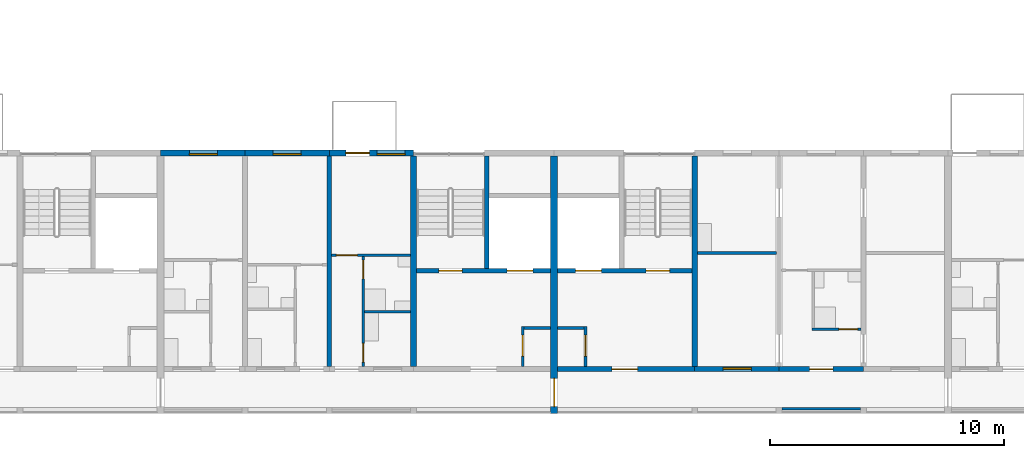
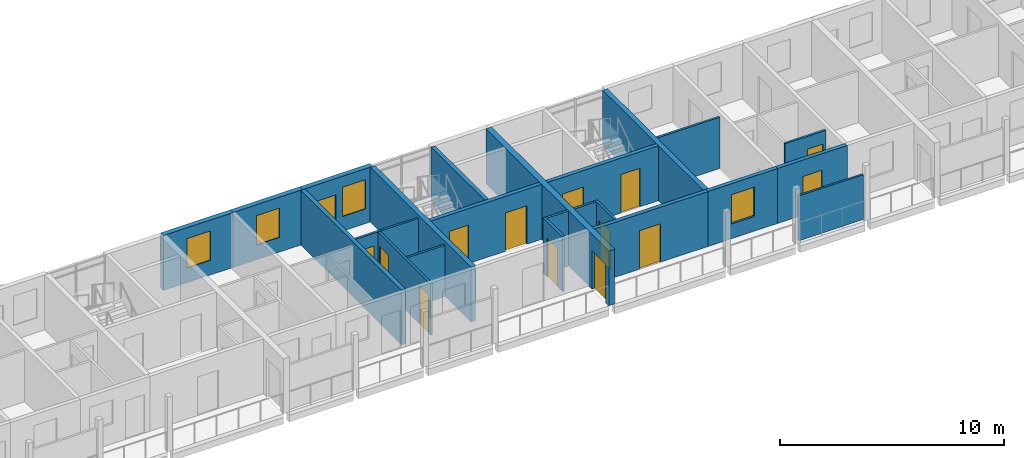
# One storey, part 31 of 94: 23 walls, 14 doors, 4 windows, 18 openings.
"""IFC4 building model written with IfcOpenShell, lengths in metres."""

from ifc_helpers import new_model, si_unit, direction, frame, frame_2d, origin, place, context, subcontext, project, spatial, rectangle, extrude, material, layer, layer_set, type_object, element, fill, save


model = new_model("IFC4")

# Units and contexts
model_context = context("Model", 3, precision=1e-05, world=origin(), true_north=direction((0.0, 1.0)))
body_context = subcontext(model_context, "Body", "Model", "MODEL_VIEW")
ifc_project = project(units=[si_unit("LENGTHUNIT", "METRE"), si_unit("AREAUNIT", "SQUARE_METRE"), si_unit("VOLUMEUNIT", "CUBIC_METRE"), si_unit("PLANEANGLEUNIT", "RADIAN"), si_unit("MASSUNIT", "GRAM", prefix="KILO")], contexts=[model_context])

# Site, building, storey
site_placement = place(None, origin())
site = spatial("IfcSite", under=ifc_project, at=site_placement, CompositionType="ELEMENT")
building_placement = place(site_placement, origin())
building = spatial("IfcBuilding", under=site, at=building_placement, Name="Ridgestep Commons", CompositionType="ELEMENT")
storey_placement = place(building_placement, frame((0.0, 0.0, 21.0)))
storey = spatial("IfcBuildingStorey", under=building, at=storey_placement, Name="L07", CompositionType="ELEMENT", Elevation=21.0)

# Walls
ifc_material_1 = material(Name="Concrete C30/37", Category="concrete")
ifc_layer_1 = layer(ifc_material_1, 0.25)
ifc_layer_set_1 = layer_set([ifc_layer_1], Name="Core cross wall 250")
wall_type_1 = type_object("IfcWallType", Name="Core cross wall 250", PredefinedType="SHEAR", material=ifc_layer_set_1)
for number, where, z_axis, x_axis, name in (
    (1, (39.60009765625, 13.75, 0.0), (0.0, 0.0, 1.0), (0.0, 1.0, 0.0), "Cross wall A-07-0396"),
    (2, (51.60009765625, 13.75, 0.0), (0.0, 0.0, 1.0), (0.0, 1.0, 0.0), "Cross wall A-07-0516"),
):
    element("IfcWall", number, at=place(storey_placement, frame(where, z_axis=z_axis, x_axis=x_axis)), inside=storey, type_object=wall_type_1, Name=name, PredefinedType="SHEAR", context=body_context, shape_type="SweptSolid", body=[
        extrude(rectangle(XDim=9.0, YDim=0.25, at=frame_2d((4.5, 0.0))), origin(), (0.0, 0.0, 1.0), 3.0),
    ])

# Wall, opening, door
ifc_material_2 = material(Name="Concrete C30/37", Category="concrete")
ifc_layer_2 = layer(ifc_material_2, 0.199951171875)
ifc_layer_set_2 = layer_set([ifc_layer_2], Name="Core south wall 200")
wall_type_2 = type_object("IfcWallType", Name="Core south wall 200", PredefinedType="SHEAR", material=ifc_layer_set_2)
wall_1_placement = place(storey_placement, frame((45.75, 13.64990234375, 0.0), z_axis=(0.0, 0.0, 1.0), x_axis=(1.0, 0.0, 0.0)))
wall_1 = element("IfcWall", 3, at=wall_1_placement, inside=storey, type_object=wall_type_2, Name="Core south wall A3C L07", PredefinedType="SHEAR", context=body_context, shape_type="SweptSolid", body=[
    extrude(rectangle(XDim=5.85009765625, YDim=0.199951171875, at=frame_2d((2.925048828125, 0.0))), origin(), (0.0, 0.0, 1.0), 3.0),
])
opening_1_placement = place(wall_1_placement, frame((2.3125, 0.0, 0.0)))
opening_1 = element("IfcOpeningElement", 4, at=opening_1_placement, cuts=wall_1, Name="Opening A3C/07/1", PredefinedType="OPENING", context=body_context, shape_type="SweptSolid", body=[
    extrude(rectangle(XDim=1.10009765625, YDim=2.10009765625, at=frame_2d((0.550048828125, 1.050048828125))), frame((0.0, 0.10986328125, 0.0), z_axis=(0.0, -1.0, 0.0), x_axis=(1.0, 0.0, 0.0)), (0.0, 0.0, 1.0), 0.219970703125),
])
ifc_material_3 = material(Name="Steel fire door", Category="steel")
door_type_1 = type_object("IfcDoorType", Name="Lobby door 1100 x 2100 FD60", OperationType="NOTDEFINED", PredefinedType="DOOR", material=ifc_material_3)
door_1_placement = place(opening_1_placement, origin())
door_1 = element("IfcDoor", 5, at=door_1_placement, inside=storey, type_object=door_type_1, Name="Lobby door A3C/07/1", OperationType="SINGLE_SWING_LEFT", OverallHeight=2.10009765625, OverallWidth=1.10009765625, PredefinedType="DOOR", context=body_context, shape_type="SweptSolid", body=[
    extrude(rectangle(XDim=1.10009765625, YDim=2.10009765625, at=frame_2d((0.550048828125, 1.050048828125))), frame((0.0, 0.02490234375, 0.0), z_axis=(0.0, -1.0, 0.0), x_axis=(1.0, 0.0, 0.0)), (0.0, 0.0, 1.0), 0.050048828125),
])
fill(opening_1, door_1)

ifc_material_4 = material(Name="Concrete C30/37", Category="concrete")
ifc_layer_3 = layer(ifc_material_4, 0.1201171875)
ifc_layer_set_3 = layer_set([ifc_layer_3], Name="Core wall 120")
wall_type_3 = type_object("IfcWallType", Name="Core wall 120", PredefinedType="SHEAR", material=ifc_layer_set_3)
wall_2_placement = place(storey_placement, frame((44.260009765625, 13.75, 0.0), z_axis=(0.0, 0.0, 1.0), x_axis=(0.0, 1.0, 0.0)))
wall_2 = element("IfcWall", 6, at=wall_2_placement, inside=storey, type_object=wall_type_3, Name="Core riser w wall A2C L07", PredefinedType="SHEAR", context=body_context, shape_type="SweptSolid", body=[
    extrude(rectangle(XDim=1.719970703125, YDim=0.1201171875, at=frame_2d((0.85986328125, 0.0))), origin(), (0.0, 0.0, 1.0), 3.0),
])
opening_2_placement = place(wall_2_placement, frame((0.449951171875, 0.0, 0.0)))
opening_2 = element("IfcOpeningElement", 7, at=opening_2_placement, cuts=wall_2, Name="Opening A2C/07/4", PredefinedType="OPENING", context=body_context, shape_type="SweptSolid", body=[
    extrude(rectangle(XDim=0.89990234375, YDim=2.10009765625, at=frame_2d((0.449951171875, 1.050048828125))), frame((0.0, 0.070068359375, 0.0), z_axis=(0.0, -1.0, 0.0), x_axis=(1.0, 0.0, 0.0)), (0.0, 0.0, 1.0), 0.14013671875),
])
ifc_material_5 = material(Name="Steel fire door", Category="steel")
door_type_2 = type_object("IfcDoorType", Name="Riser door 900 x 2100 FD60", OperationType="NOTDEFINED", PredefinedType="DOOR", material=ifc_material_5)
door_2_placement = place(opening_2_placement, origin())
door_2 = element("IfcDoor", 8, at=door_2_placement, inside=storey, type_object=door_type_2, Name="Riser door A2C/07/4", OperationType="SINGLE_SWING_LEFT", OverallHeight=2.10009765625, OverallWidth=0.89990234375, PredefinedType="DOOR", context=body_context, shape_type="SweptSolid", body=[
    extrude(rectangle(XDim=0.89990234375, YDim=2.10009765625, at=frame_2d((0.449951171875, 1.050048828125))), frame((0.0, 0.02490234375, 0.0), z_axis=(0.0, -1.0, 0.0), x_axis=(1.0, 0.0, 0.0)), (0.0, 0.0, 1.0), 0.050048828125),
])
fill(opening_2, door_2)

# Wall
wall_3_placement = place(storey_placement, frame((44.320068359375, 15.409912109375, 0.0), z_axis=(0.0, 0.0, 1.0), x_axis=(1.0, 0.0, 0.0)))
element("IfcWall", 9, at=wall_3_placement, inside=storey, type_object=wall_type_3, Name="Core riser n wall A2C L07", PredefinedType="SHEAR", context=body_context, shape_type="SweptSolid", body=[
    extrude(rectangle(XDim=1.1298828125, YDim=0.1201171875, at=frame_2d((0.56494140625, 0.0))), origin(), (0.0, 0.0, 1.0), 3.0),
])

# Wall, opening, door
wall_4_placement = place(storey_placement, frame((46.93994140625, 13.75, 0.0), z_axis=(0.0, 0.0, 1.0), x_axis=(0.0, 1.0, 0.0)))
wall_4 = element("IfcWall", 10, at=wall_4_placement, inside=storey, type_object=wall_type_3, Name="Core riser w wall A3C L07", PredefinedType="SHEAR", context=body_context, shape_type="SweptSolid", body=[
    extrude(rectangle(XDim=1.719970703125, YDim=0.1201171875, at=frame_2d((0.85986328125, 0.0))), origin(), (0.0, 0.0, 1.0), 3.0),
])
opening_3_placement = place(wall_4_placement, frame((0.449951171875, 0.0, 0.0)))
opening_3 = element("IfcOpeningElement", 11, at=opening_3_placement, cuts=wall_4, Name="Opening A3C/07/4", PredefinedType="OPENING", context=body_context, shape_type="SweptSolid", body=[
    extrude(rectangle(XDim=0.89990234375, YDim=2.10009765625, at=frame_2d((0.449951171875, 1.050048828125))), frame((0.0, 0.070068359375, 0.0), z_axis=(0.0, -1.0, 0.0), x_axis=(1.0, 0.0, 0.0)), (0.0, 0.0, 1.0), 0.14013671875),
])
door_3_placement = place(opening_3_placement, origin())
door_3 = element("IfcDoor", 12, at=door_3_placement, inside=storey, type_object=door_type_2, Name="Riser door A3C/07/4", OperationType="SINGLE_SWING_RIGHT", OverallHeight=2.10009765625, OverallWidth=0.89990234375, PredefinedType="DOOR", context=body_context, shape_type="SweptSolid", body=[
    extrude(rectangle(XDim=0.89990234375, YDim=2.10009765625, at=frame_2d((0.449951171875, 1.050048828125))), frame((0.0, 0.02490234375, 0.0), z_axis=(0.0, -1.0, 0.0), x_axis=(1.0, 0.0, 0.0)), (0.0, 0.0, 1.0), 0.050048828125),
])
fill(opening_3, door_3)

# Wall
wall_5_placement = place(storey_placement, frame((45.75, 15.409912109375, 0.0), z_axis=(0.0, 0.0, 1.0), x_axis=(1.0, 0.0, 0.0)))
element("IfcWall", 13, at=wall_5_placement, inside=storey, type_object=wall_type_3, Name="Core riser n wall A3C L07", PredefinedType="SHEAR", context=body_context, shape_type="SweptSolid", body=[
    extrude(rectangle(XDim=1.1298828125, YDim=0.1201171875, at=frame_2d((0.56494140625, 0.0))), origin(), (0.0, 0.0, 1.0), 3.0),
])

# Wall, openings, doors
ifc_material_6 = material(Name="Concrete C30/37", Category="concrete")
ifc_layer_4 = layer(ifc_material_6, 0.199951171875)
ifc_layer_set_4 = layer_set([ifc_layer_4], Name="Core wall 200")
wall_type_4 = type_object("IfcWallType", Name="Core wall 200", PredefinedType="SHEAR", material=ifc_layer_set_4)
wall_6_placement = place(storey_placement, frame((39.72509765625, 17.85009765625, 0.0), z_axis=(0.0, 0.0, 1.0), x_axis=(1.0, 0.0, 0.0)))
wall_6 = element("IfcWall", 14, at=wall_6_placement, inside=storey, type_object=wall_type_4, Name="Core lobby wall A2C L07", PredefinedType="SHEAR", context=body_context, shape_type="SweptSolid", body=[
    extrude(rectangle(XDim=5.724853515625, YDim=0.199951171875, at=frame_2d((2.8623046875, 0.0))), origin(), (0.0, 0.0, 1.0), 3.0),
])
opening_4_placement = place(wall_6_placement, frame((0.949951171875, 0.0, 0.0)))
opening_4 = element("IfcOpeningElement", 15, at=opening_4_placement, cuts=wall_6, Name="Opening A2C/07/2", PredefinedType="OPENING", context=body_context, shape_type="SweptSolid", body=[
    extrude(rectangle(XDim=1.0, YDim=2.10009765625, at=frame_2d((0.5, 1.050048828125))), frame((0.0, 0.10986328125, 0.0), z_axis=(0.0, -1.0, 0.0), x_axis=(1.0, 0.0, 0.0)), (0.0, 0.0, 1.0), 0.219970703125),
])
opening_5_placement = place(wall_6_placement, frame((3.862548828125, 0.0, 0.0)))
opening_5 = element("IfcOpeningElement", 16, at=opening_5_placement, cuts=wall_6, Name="Opening A2C/07/3", PredefinedType="OPENING", context=body_context, shape_type="SweptSolid", body=[
    extrude(rectangle(XDim=1.10009765625, YDim=2.10009765625, at=frame_2d((0.550048828125, 1.050048828125))), frame((0.0, 0.10986328125, 0.0), z_axis=(0.0, -1.0, 0.0), x_axis=(1.0, 0.0, 0.0)), (0.0, 0.0, 1.0), 0.219970703125),
])
ifc_material_7 = material(Name="Stainless steel", Category="steel")
door_type_3 = type_object("IfcDoorType", Name="Lift landing door 1100 x 2100 FD60", OperationType="DOUBLE_DOOR_SLIDING", PredefinedType="DOOR", material=ifc_material_7)
door_4_placement = place(opening_5_placement, origin())
door_4 = element("IfcDoor", 17, at=door_4_placement, inside=storey, type_object=door_type_3, Name="Landing door LD A2C L07", OperationType="DOUBLE_DOOR_SLIDING", OverallHeight=2.10009765625, OverallWidth=1.10009765625, PredefinedType="DOOR", context=body_context, shape_type="SweptSolid", body=[
    extrude(rectangle(XDim=1.10009765625, YDim=2.10009765625, at=frame_2d((0.550048828125, 1.050048828125))), frame((0.0, 0.02490234375, 0.0), z_axis=(0.0, -1.0, 0.0), x_axis=(1.0, 0.0, 0.0)), (0.0, 0.0, 1.0), 0.050048828125),
])
fill(opening_5, door_4)
ifc_material_8 = material(Name="Steel fire door", Category="steel")
door_type_4 = type_object("IfcDoorType", Name="Stair door 1000 x 2100 FD60", OperationType="NOTDEFINED", PredefinedType="DOOR", material=ifc_material_8)
door_5_placement = place(opening_4_placement, origin())
door_5 = element("IfcDoor", 18, at=door_5_placement, inside=storey, type_object=door_type_4, Name="Stair door A2C/07/2", OperationType="SINGLE_SWING_RIGHT", OverallHeight=2.10009765625, OverallWidth=1.0, PredefinedType="DOOR", context=body_context, shape_type="SweptSolid", body=[
    extrude(rectangle(XDim=1.0, YDim=2.10009765625, at=frame_2d((0.5, 1.050048828125))), frame((0.0, 0.02490234375, 0.0), z_axis=(0.0, -1.0, 0.0), x_axis=(1.0, 0.0, 0.0)), (0.0, 0.0, 1.0), 0.050048828125),
])
fill(opening_4, door_5)

# Wall
wall_7_placement = place(storey_placement, frame((42.72509765625, 17.949951171875, 0.0), z_axis=(0.0, 0.0, 1.0), x_axis=(0.0, 1.0, 0.0)))
element("IfcWall", 19, at=wall_7_placement, inside=storey, type_object=wall_type_4, Name="Core stair wall A2C L07", PredefinedType="SHEAR", context=body_context, shape_type="SweptSolid", body=[
    extrude(rectangle(XDim=4.800048828125, YDim=0.199951171875, at=frame_2d((2.39990234375, 0.0))), origin(), (0.0, 0.0, 1.0), 3.0),
])

# Wall, openings, doors
wall_8_placement = place(storey_placement, frame((45.75, 17.85009765625, 0.0), z_axis=(0.0, 0.0, 1.0), x_axis=(1.0, 0.0, 0.0)))
wall_8 = element("IfcWall", 20, at=wall_8_placement, inside=storey, type_object=wall_type_4, Name="Core lobby wall A3C L07", PredefinedType="SHEAR", context=body_context, shape_type="SweptSolid", body=[
    extrude(rectangle(XDim=5.72509765625, YDim=0.199951171875, at=frame_2d((2.862548828125, 0.0))), origin(), (0.0, 0.0, 1.0), 3.0),
])
opening_6_placement = place(wall_8_placement, frame((3.77490234375, 0.0, 0.0)))
opening_6 = element("IfcOpeningElement", 21, at=opening_6_placement, cuts=wall_8, Name="Opening A3C/07/2", PredefinedType="OPENING", context=body_context, shape_type="SweptSolid", body=[
    extrude(rectangle(XDim=1.0, YDim=2.10009765625, at=frame_2d((0.5, 1.050048828125))), frame((0.0, 0.10986328125, 0.0), z_axis=(0.0, -1.0, 0.0), x_axis=(1.0, 0.0, 0.0)), (0.0, 0.0, 1.0), 0.219970703125),
])
opening_7_placement = place(wall_8_placement, frame((0.762451171875, 0.0, 0.0)))
opening_7 = element("IfcOpeningElement", 22, at=opening_7_placement, cuts=wall_8, Name="Opening A3C/07/3", PredefinedType="OPENING", context=body_context, shape_type="SweptSolid", body=[
    extrude(rectangle(XDim=1.10009765625, YDim=2.10009765625, at=frame_2d((0.550048828125, 1.050048828125))), frame((0.0, 0.10986328125, 0.0), z_axis=(0.0, -1.0, 0.0), x_axis=(1.0, 0.0, 0.0)), (0.0, 0.0, 1.0), 0.219970703125),
])
door_6_placement = place(opening_7_placement, origin())
door_6 = element("IfcDoor", 23, at=door_6_placement, inside=storey, type_object=door_type_3, Name="Landing door LD A3C L07", OperationType="DOUBLE_DOOR_SLIDING", OverallHeight=2.10009765625, OverallWidth=1.10009765625, PredefinedType="DOOR", context=body_context, shape_type="SweptSolid", body=[
    extrude(rectangle(XDim=1.10009765625, YDim=2.10009765625, at=frame_2d((0.550048828125, 1.050048828125))), frame((0.0, 0.02490234375, 0.0), z_axis=(0.0, -1.0, 0.0), x_axis=(1.0, 0.0, 0.0)), (0.0, 0.0, 1.0), 0.050048828125),
])
fill(opening_7, door_6)
door_7_placement = place(opening_6_placement, origin())
door_7 = element("IfcDoor", 24, at=door_7_placement, inside=storey, type_object=door_type_4, Name="Stair door A3C/07/2", OperationType="SINGLE_SWING_RIGHT", OverallHeight=2.10009765625, OverallWidth=1.0, PredefinedType="DOOR", context=body_context, shape_type="SweptSolid", body=[
    extrude(rectangle(XDim=1.0, YDim=2.10009765625, at=frame_2d((0.5, 1.050048828125))), frame((0.0, 0.02490234375, 0.0), z_axis=(0.0, -1.0, 0.0), x_axis=(1.0, 0.0, 0.0)), (0.0, 0.0, 1.0), 0.050048828125),
])
fill(opening_6, door_7)

# Wall
ifc_material_9 = material(Name="Precast concrete C40/50", Category="concrete")
ifc_layer_5 = layer(ifc_material_9, 0.199951171875)
ifc_layer_set_5 = layer_set([ifc_layer_5], Name="Cross wall 200")
wall_type_5 = type_object("IfcWallType", Name="Cross wall 200", PredefinedType="SHEAR", material=ifc_layer_set_5)
wall_9_placement = place(storey_placement, frame((36.0, 13.75, 0.0), z_axis=(0.0, 0.0, 1.0), x_axis=(0.0, 1.0, 0.0)))
element("IfcWall", 25, at=wall_9_placement, inside=storey, type_object=wall_type_5, Name="Cross wall A-07-0360", PredefinedType="SHEAR", context=body_context, shape_type="SweptSolid", body=[
    extrude(rectangle(XDim=9.0, YDim=0.199951171875, at=frame_2d((4.5, 0.0))), origin(), (0.0, 0.0, 1.0), 3.0),
])

# Wall, opening, door
ifc_material_10 = material(Name="Precast concrete C40/50", Category="concrete")
ifc_layer_6 = layer(ifc_material_10, 0.300048828125)
ifc_layer_set_6 = layer_set([ifc_layer_6], Name="Division wall 300")
wall_type_6 = type_object("IfcWallType", Name="Division wall 300", PredefinedType="SHEAR", material=ifc_layer_set_6)
wall_10_placement = place(storey_placement, frame((45.60009765625, 11.75, 0.0), z_axis=(0.0, 0.0, 1.0), x_axis=(0.0, 1.0, 0.0)))
wall_10 = element("IfcWall", 26, at=wall_10_placement, inside=storey, type_object=wall_type_6, Name="Cross wall A-07-0456", PredefinedType="SHEAR", context=body_context, shape_type="SweptSolid", body=[
    extrude(rectangle(XDim=11.0, YDim=0.300048828125, at=frame_2d((5.5, 0.0))), origin(), (0.0, 0.0, 1.0), 3.0),
])
opening_8_placement = place(wall_10_placement, frame((0.300048828125, 0.0, 0.0)))
opening_8 = element("IfcOpeningElement", 27, at=opening_8_placement, cuts=wall_10, Name="Opening A/07/G0456", PredefinedType="OPENING", context=body_context, shape_type="SweptSolid", body=[
    extrude(rectangle(XDim=1.199951171875, YDim=2.10009765625, at=frame_2d((0.60009765625, 1.050048828125))), frame((0.0, 0.159912109375, 0.0), z_axis=(0.0, -1.0, 0.0), x_axis=(1.0, 0.0, 0.0)), (0.0, 0.0, 1.0), 0.320068359375),
])
ifc_material_11 = material(Name="Steel fire door", Category="steel")
door_type_5 = type_object("IfcDoorType", Name="Division fire door 1200 x 2100 EI 240", OperationType="DOUBLE_DOOR_SINGLE_SWING", PredefinedType="DOOR", material=ifc_material_11)
door_8_placement = place(opening_8_placement, origin())
door_8 = element("IfcDoor", 28, at=door_8_placement, inside=storey, type_object=door_type_5, Name="Division fire door A/07/G0456", OperationType="DOUBLE_DOOR_SINGLE_SWING", OverallHeight=2.10009765625, OverallWidth=1.199951171875, PredefinedType="DOOR", context=body_context, shape_type="SweptSolid", body=[
    extrude(rectangle(XDim=1.199951171875, YDim=2.10009765625, at=frame_2d((0.60009765625, 1.050048828125))), frame((0.0, 0.02490234375, 0.0), z_axis=(0.0, -1.0, 0.0), x_axis=(1.0, 0.0, 0.0)), (0.0, 0.0, 1.0), 0.050048828125),
])
fill(opening_8, door_8)

# Wall, opening, window
ifc_material_12 = material(Name="Precast concrete C40/50", Category="concrete")
ifc_layer_7 = layer(ifc_material_12, 0.25)
ifc_layer_set_7 = layer_set([ifc_layer_7], Name="North facade panel 250")
wall_type_7 = type_object("IfcWallType", Name="North facade panel 250", PredefinedType="SOLIDWALL", material=ifc_layer_set_7)
wall_11_placement = place(storey_placement, frame((28.800048828125, 22.875, 0.0), z_axis=(0.0, 0.0, 1.0), x_axis=(1.0, 0.0, 0.0)))
wall_11 = element("IfcWall", 29, at=wall_11_placement, inside=storey, type_object=wall_type_7, Name="North panel A2T1 L07", PredefinedType="SOLIDWALL", context=body_context, shape_type="SweptSolid", body=[
    extrude(rectangle(XDim=3.599853515625, YDim=0.25, at=frame_2d((1.7998046875, 0.0))), origin(), (0.0, 0.0, 1.0), 3.0),
])
opening_9_placement = place(wall_11_placement, frame((1.22509765625, 0.0, 0.800048828125)))
opening_9 = element("IfcOpeningElement", 30, at=opening_9_placement, cuts=wall_11, Name="Opening W11", PredefinedType="OPENING", context=body_context, shape_type="SweptSolid", body=[
    extrude(rectangle(XDim=1.199951171875, YDim=1.60009765625, at=frame_2d((0.60009765625, 0.800048828125))), frame((0.0, 0.135009765625, 0.0), z_axis=(0.0, -1.0, 0.0), x_axis=(1.0, 0.0, 0.0)), (0.0, 0.0, 1.0), 0.27001953125),
])
ifc_material_13 = material(Name="Aluminium 6063-T6 and glass", Category="aluminium")
window_type = type_object("IfcWindowType", Name="Flat window 1200 x 1600", PartitioningType="SINGLE_PANEL", PredefinedType="WINDOW", material=ifc_material_13)
window_1_placement = place(opening_9_placement, origin())
window_1 = element("IfcWindow", 31, at=window_1_placement, inside=storey, type_object=window_type, Name="Window A2-07a 2", OverallHeight=1.60009765625, OverallWidth=1.199951171875, PartitioningType="SINGLE_PANEL", PredefinedType="WINDOW", context=body_context, shape_type="SweptSolid", body=[
    extrude(rectangle(XDim=1.199951171875, YDim=1.60009765625, at=frame_2d((0.60009765625, 0.800048828125))), frame((0.0, -0.02490234375, 0.0), z_axis=(0.0, -1.0, 0.0), x_axis=(1.0, 0.0, 0.0)), (0.0, 0.0, 1.0), 0.06005859375),
])
fill(opening_9, window_1)

wall_12_placement = place(storey_placement, frame((32.39990234375, 22.875, 0.0), z_axis=(0.0, 0.0, 1.0), x_axis=(1.0, 0.0, 0.0)))
wall_12 = element("IfcWall", 32, at=wall_12_placement, inside=storey, type_object=wall_type_7, Name="North panel A2T2 L07", PredefinedType="SOLIDWALL", context=body_context, shape_type="SweptSolid", body=[
    extrude(rectangle(XDim=3.60009765625, YDim=0.25, at=frame_2d((1.800048828125, 0.0))), origin(), (0.0, 0.0, 1.0), 3.0),
])
opening_10_placement = place(wall_12_placement, frame((1.199951171875, 0.0, 0.800048828125)))
opening_10 = element("IfcOpeningElement", 33, at=opening_10_placement, cuts=wall_12, Name="Opening W11", PredefinedType="OPENING", context=body_context, shape_type="SweptSolid", body=[
    extrude(rectangle(XDim=1.199951171875, YDim=1.60009765625, at=frame_2d((0.60009765625, 0.800048828125))), frame((0.0, 0.135009765625, 0.0), z_axis=(0.0, -1.0, 0.0), x_axis=(1.0, 0.0, 0.0)), (0.0, 0.0, 1.0), 0.27001953125),
])
window_2_placement = place(opening_10_placement, origin())
window_2 = element("IfcWindow", 34, at=window_2_placement, inside=storey, type_object=window_type, Name="Window A2-07b 2", OverallHeight=1.60009765625, OverallWidth=1.199951171875, PartitioningType="SINGLE_PANEL", PredefinedType="WINDOW", context=body_context, shape_type="SweptSolid", body=[
    extrude(rectangle(XDim=1.199951171875, YDim=1.60009765625, at=frame_2d((0.60009765625, 0.800048828125))), frame((0.0, -0.02490234375, 0.0), z_axis=(0.0, -1.0, 0.0), x_axis=(1.0, 0.0, 0.0)), (0.0, 0.0, 1.0), 0.06005859375),
])
fill(opening_10, window_2)

# Wall, openings, door, window
wall_13_placement = place(storey_placement, frame((36.0, 22.875, 0.0), z_axis=(0.0, 0.0, 1.0), x_axis=(1.0, 0.0, 0.0)))
wall_13 = element("IfcWall", 35, at=wall_13_placement, inside=storey, type_object=wall_type_7, Name="North panel A2T3 L07", PredefinedType="SOLIDWALL", context=body_context, shape_type="SweptSolid", body=[
    extrude(rectangle(XDim=3.60009765625, YDim=0.25, at=frame_2d((1.800048828125, 0.0))), origin(), (0.0, 0.0, 1.0), 3.0),
])
opening_11_placement = place(wall_13_placement, frame((2.04296875, 0.0, 0.800048828125)))
opening_11 = element("IfcOpeningElement", 36, at=opening_11_placement, cuts=wall_13, Name="Opening W11", PredefinedType="OPENING", context=body_context, shape_type="SweptSolid", body=[
    extrude(rectangle(XDim=1.199951171875, YDim=1.60009765625, at=frame_2d((0.60009765625, 0.800048828125))), frame((0.0, 0.135009765625, 0.0), z_axis=(0.0, -1.0, 0.0), x_axis=(1.0, 0.0, 0.0)), (0.0, 0.0, 1.0), 0.27001953125),
])
opening_12_placement = place(wall_13_placement, frame((0.7109375, 0.0, 0.0)))
opening_12 = element("IfcOpeningElement", 37, at=opening_12_placement, cuts=wall_13, Name="Opening A2-07c/5", PredefinedType="OPENING", context=body_context, shape_type="SweptSolid", body=[
    extrude(rectangle(XDim=1.0, YDim=2.10009765625, at=frame_2d((0.5, 1.050048828125))), frame((0.0, 0.135009765625, 0.0), z_axis=(0.0, -1.0, 0.0), x_axis=(1.0, 0.0, 0.0)), (0.0, 0.0, 1.0), 0.27001953125),
])
ifc_material_14 = material(Name="Aluminium and glass", Category="aluminium")
door_type_6 = type_object("IfcDoorType", Name="Balcony door 1000 x 2100", OperationType="NOTDEFINED", PredefinedType="DOOR", material=ifc_material_14)
door_9_placement = place(opening_12_placement, origin())
door_9 = element("IfcDoor", 38, at=door_9_placement, inside=storey, type_object=door_type_6, Name="Balcony door A2-07c/5", OperationType="SINGLE_SWING_RIGHT", OverallHeight=2.10009765625, OverallWidth=1.0, PredefinedType="DOOR", context=body_context, shape_type="SweptSolid", body=[
    extrude(rectangle(XDim=1.0, YDim=2.10009765625, at=frame_2d((0.5, 1.050048828125))), frame((0.0, 0.02490234375, 0.0), z_axis=(0.0, -1.0, 0.0), x_axis=(1.0, 0.0, 0.0)), (0.0, 0.0, 1.0), 0.050048828125),
])
fill(opening_12, door_9)
window_3_placement = place(opening_11_placement, origin())
window_3 = element("IfcWindow", 39, at=window_3_placement, inside=storey, type_object=window_type, Name="Window A2-07c 2", OverallHeight=1.60009765625, OverallWidth=1.199951171875, PartitioningType="SINGLE_PANEL", PredefinedType="WINDOW", context=body_context, shape_type="SweptSolid", body=[
    extrude(rectangle(XDim=1.199951171875, YDim=1.60009765625, at=frame_2d((0.60009765625, 0.800048828125))), frame((0.0, -0.02490234375, 0.0), z_axis=(0.0, -1.0, 0.0), x_axis=(1.0, 0.0, 0.0)), (0.0, 0.0, 1.0), 0.06005859375),
])
fill(opening_11, window_3)

# Wall, openings, doors
ifc_material_15 = material(Name="Common brick 110 mm", Category="masonry")
ifc_layer_8 = layer(ifc_material_15, 0.110107421875)
ifc_layer_set_8 = layer_set([ifc_layer_8], Name="Partition 110")
wall_type_8 = type_object("IfcWallType", Name="Partition 110", PredefinedType="PARTITIONING", material=ifc_layer_set_8)
wall_14_placement = place(storey_placement, frame((37.455078125, 13.75, 0.0), z_axis=(0.0, 0.0, 1.0), x_axis=(0.0, 1.0, 0.0)))
wall_14 = element("IfcWall", 40, at=wall_14_placement, inside=storey, type_object=wall_type_8, Name="Partition A2-07c", PredefinedType="PARTITIONING", context=body_context, shape_type="SweptSolid", body=[
    extrude(rectangle(XDim=4.699951171875, YDim=0.110107421875, at=frame_2d((2.35009765625, 0.0))), origin(), (0.0, 0.0, 1.0), 2.800048828125),
])
opening_13_placement = place(wall_14_placement, frame((0.199951171875, 0.0, 0.0)))
opening_13 = element("IfcOpeningElement", 41, at=opening_13_placement, cuts=wall_14, Name="Opening A2-07c/2", PredefinedType="OPENING", context=body_context, shape_type="SweptSolid", body=[
    extrude(rectangle(XDim=0.800048828125, YDim=2.10009765625, at=frame_2d((0.39990234375, 1.050048828125))), frame((0.0, 0.06494140625, 0.0), z_axis=(0.0, -1.0, 0.0), x_axis=(1.0, 0.0, 0.0)), (0.0, 0.0, 1.0), 0.130126953125),
])
opening_14_placement = place(wall_14_placement, frame((3.75, 0.0, 0.0)))
opening_14 = element("IfcOpeningElement", 42, at=opening_14_placement, cuts=wall_14, Name="Opening A2-07c/3", PredefinedType="OPENING", context=body_context, shape_type="SweptSolid", body=[
    extrude(rectangle(XDim=0.800048828125, YDim=2.10009765625, at=frame_2d((0.39990234375, 1.050048828125))), frame((0.0, 0.06494140625, 0.0), z_axis=(0.0, -1.0, 0.0), x_axis=(1.0, 0.0, 0.0)), (0.0, 0.0, 1.0), 0.130126953125),
])
ifc_material_16 = material(Name="Timber door leaf", Category="wood")
door_type_7 = type_object("IfcDoorType", Name="Internal door 800 x 2100", OperationType="NOTDEFINED", PredefinedType="DOOR", material=ifc_material_16)
door_10_placement = place(opening_13_placement, origin())
door_10 = element("IfcDoor", 43, at=door_10_placement, inside=storey, type_object=door_type_7, Name="Internal door A2-07c/2", OperationType="SINGLE_SWING_RIGHT", OverallHeight=2.10009765625, OverallWidth=0.800048828125, PredefinedType="DOOR", context=body_context, shape_type="SweptSolid", body=[
    extrude(rectangle(XDim=0.800048828125, YDim=2.10009765625, at=frame_2d((0.39990234375, 1.050048828125))), frame((0.0, 0.02490234375, 0.0), z_axis=(0.0, -1.0, 0.0), x_axis=(1.0, 0.0, 0.0)), (0.0, 0.0, 1.0), 0.050048828125),
])
fill(opening_13, door_10)
door_11_placement = place(opening_14_placement, origin())
door_11 = element("IfcDoor", 44, at=door_11_placement, inside=storey, type_object=door_type_7, Name="Internal door A2-07c/3", OperationType="SINGLE_SWING_LEFT", OverallHeight=2.10009765625, OverallWidth=0.800048828125, PredefinedType="DOOR", context=body_context, shape_type="SweptSolid", body=[
    extrude(rectangle(XDim=0.800048828125, YDim=2.10009765625, at=frame_2d((0.39990234375, 1.050048828125))), frame((0.0, 0.02490234375, 0.0), z_axis=(0.0, -1.0, 0.0), x_axis=(1.0, 0.0, 0.0)), (0.0, 0.0, 1.0), 0.050048828125),
])
fill(opening_14, door_11)

# Wall
wall_15_placement = place(storey_placement, frame((37.510009765625, 16.10498046875, 0.0), z_axis=(0.0, 0.0, 1.0), x_axis=(1.0, 0.0, 0.0)))
element("IfcWall", 45, at=wall_15_placement, inside=storey, type_object=wall_type_8, Name="Partition A2-07c", PredefinedType="PARTITIONING", context=body_context, shape_type="SweptSolid", body=[
    extrude(rectangle(XDim=1.965087890625, YDim=0.110107421875, at=frame_2d((0.982421875, 0.0))), origin(), (0.0, 0.0, 1.0), 2.800048828125),
])

# Wall, opening, door
wall_16_placement = place(storey_placement, frame((36.10009765625, 18.5048828125, 0.0), z_axis=(0.0, 0.0, 1.0), x_axis=(1.0, 0.0, 0.0)))
wall_16 = element("IfcWall", 46, at=wall_16_placement, inside=storey, type_object=wall_type_8, Name="Partition A2-07c", PredefinedType="PARTITIONING", context=body_context, shape_type="SweptSolid", body=[
    extrude(rectangle(XDim=3.375, YDim=0.110107421875, at=frame_2d((1.6875, 0.0))), origin(), (0.0, 0.0, 1.0), 2.800048828125),
])
opening_15_placement = place(wall_16_placement, frame((0.199951171875, 0.0, 0.0)))
opening_15 = element("IfcOpeningElement", 47, at=opening_15_placement, cuts=wall_16, Name="Opening A2-07c/4", PredefinedType="OPENING", context=body_context, shape_type="SweptSolid", body=[
    extrude(rectangle(XDim=0.89990234375, YDim=2.10009765625, at=frame_2d((0.449951171875, 1.050048828125))), frame((0.0, 0.06494140625, 0.0), z_axis=(0.0, -1.0, 0.0), x_axis=(1.0, 0.0, 0.0)), (0.0, 0.0, 1.0), 0.130126953125),
])
ifc_material_17 = material(Name="Timber door leaf", Category="wood")
door_type_8 = type_object("IfcDoorType", Name="Internal door 900 x 2100", OperationType="NOTDEFINED", PredefinedType="DOOR", material=ifc_material_17)
door_12_placement = place(opening_15_placement, origin())
door_12 = element("IfcDoor", 48, at=door_12_placement, inside=storey, type_object=door_type_8, Name="Internal door A2-07c/4", OperationType="SINGLE_SWING_LEFT", OverallHeight=2.10009765625, OverallWidth=0.89990234375, PredefinedType="DOOR", context=body_context, shape_type="SweptSolid", body=[
    extrude(rectangle(XDim=0.89990234375, YDim=2.10009765625, at=frame_2d((0.449951171875, 1.050048828125))), frame((0.0, 0.02490234375, 0.0), z_axis=(0.0, -1.0, 0.0), x_axis=(1.0, 0.0, 0.0)), (0.0, 0.0, 1.0), 0.050048828125),
])
fill(opening_15, door_12)

wall_17_placement = place(storey_placement, frame((56.60009765625, 15.35498046875, 0.0), z_axis=(0.0, 0.0, 1.0), x_axis=(1.0, 0.0, 0.0)))
wall_17 = element("IfcWall", 49, at=wall_17_placement, inside=storey, type_object=wall_type_8, Name="Partition A3-07a", PredefinedType="PARTITIONING", context=body_context, shape_type="SweptSolid", body=[
    extrude(rectangle(XDim=2.099853515625, YDim=0.110107421875, at=frame_2d((1.0498046875, 0.0))), origin(), (0.0, 0.0, 1.0), 2.800048828125),
])
opening_16_placement = place(wall_17_placement, frame((1.14990234375, 0.0, 0.0)))
opening_16 = element("IfcOpeningElement", 50, at=opening_16_placement, cuts=wall_17, Name="Opening A3-07a/2", PredefinedType="OPENING", context=body_context, shape_type="SweptSolid", body=[
    extrude(rectangle(XDim=0.800048828125, YDim=2.10009765625, at=frame_2d((0.39990234375, 1.050048828125))), frame((0.0, 0.06494140625, 0.0), z_axis=(0.0, -1.0, 0.0), x_axis=(1.0, 0.0, 0.0)), (0.0, 0.0, 1.0), 0.130126953125),
])
door_13_placement = place(opening_16_placement, origin())
door_13 = element("IfcDoor", 51, at=door_13_placement, inside=storey, type_object=door_type_7, Name="Internal door A3-07a/2", OperationType="SINGLE_SWING_RIGHT", OverallHeight=2.10009765625, OverallWidth=0.800048828125, PredefinedType="DOOR", context=body_context, shape_type="SweptSolid", body=[
    extrude(rectangle(XDim=0.800048828125, YDim=2.10009765625, at=frame_2d((0.39990234375, 1.050048828125))), frame((0.0, 0.02490234375, 0.0), z_axis=(0.0, -1.0, 0.0), x_axis=(1.0, 0.0, 0.0)), (0.0, 0.0, 1.0), 0.050048828125),
])
fill(opening_16, door_13)

# Walls
wall_18_placement = place(storey_placement, frame((51.72509765625, 18.60498046875, 0.0), z_axis=(0.0, 0.0, 1.0), x_axis=(1.0, 0.0, 0.0)))
element("IfcWall", 52, at=wall_18_placement, inside=storey, type_object=wall_type_8, Name="Partition A3-07a", PredefinedType="PARTITIONING", context=body_context, shape_type="SweptSolid", body=[
    extrude(rectangle(XDim=3.375, YDim=0.110107421875, at=frame_2d((1.6875, 0.0))), origin(), (0.0, 0.0, 1.0), 2.800048828125),
])
ifc_material_18 = material(Name="Precast concrete C30/37", Category="concrete")
ifc_layer_9 = layer(ifc_material_18, 0.10009765625)
ifc_layer_set_9 = layer_set([ifc_layer_9], Name="Perforated gallery screen 3350 x 2450 x 100")
wall_type_9 = type_object("IfcWallType", Name="Perforated gallery screen 3350 x 2450 x 100", PredefinedType="SOLIDWALL", material=ifc_layer_set_9)
wall_19_placement = place(storey_placement, frame((55.324951171875, 11.949951171875, 0.0), z_axis=(0.0, 0.0, 1.0), x_axis=(1.0, 0.0, 0.0)))
element("IfcWall", 53, at=wall_19_placement, inside=storey, type_object=wall_type_9, Name="Gallery screen A3T2 07", PredefinedType="SOLIDWALL", context=body_context, shape_type="SweptSolid", body=[
    extrude(rectangle(XDim=3.35009765625, YDim=0.10009765625, at=frame_2d((1.675048828125, 0.0))), origin(), (0.0, 0.0, 1.0), 2.449951171875),
])

# Wall, opening, window
ifc_material_19 = material(Name="Precast concrete C40/50", Category="concrete")
ifc_layer_10 = layer(ifc_material_19, 0.199951171875)
ifc_layer_set_10 = layer_set([ifc_layer_10], Name="South facade panel 200")
wall_type_10 = type_object("IfcWallType", Name="South facade panel 200", PredefinedType="SOLIDWALL", material=ifc_layer_set_10)
wall_20_placement = place(storey_placement, frame((51.60009765625, 13.64990234375, 0.0), z_axis=(0.0, 0.0, 1.0), x_axis=(1.0, 0.0, 0.0)))
wall_20 = element("IfcWall", 54, at=wall_20_placement, inside=storey, type_object=wall_type_10, Name="South panel A3T3 L07", PredefinedType="SOLIDWALL", context=body_context, shape_type="SweptSolid", body=[
    extrude(rectangle(XDim=3.599853515625, YDim=0.199951171875, at=frame_2d((1.7998046875, 0.0))), origin(), (0.0, 0.0, 1.0), 3.0),
])
opening_17_placement = place(wall_20_placement, frame((1.21240234375, 0.0, 0.800048828125)))
opening_17 = element("IfcOpeningElement", 55, at=opening_17_placement, cuts=wall_20, Name="Opening W11", PredefinedType="OPENING", context=body_context, shape_type="SweptSolid", body=[
    extrude(rectangle(XDim=1.199951171875, YDim=1.60009765625, at=frame_2d((0.60009765625, 0.800048828125))), frame((0.0, 0.10986328125, 0.0), z_axis=(0.0, -1.0, 0.0), x_axis=(1.0, 0.0, 0.0)), (0.0, 0.0, 1.0), 0.219970703125),
])
window_4_placement = place(opening_17_placement, origin())
window_4 = element("IfcWindow", 56, at=window_4_placement, inside=storey, type_object=window_type, Name="Window A3-07a 1", OverallHeight=1.60009765625, OverallWidth=1.199951171875, PartitioningType="SINGLE_PANEL", PredefinedType="WINDOW", context=body_context, shape_type="SweptSolid", body=[
    extrude(rectangle(XDim=1.199951171875, YDim=1.60009765625, at=frame_2d((0.60009765625, 0.800048828125))), frame((0.0, 0.06005859375, 0.0), z_axis=(0.0, -1.0, 0.0), x_axis=(1.0, 0.0, 0.0)), (0.0, 0.0, 1.0), 0.06005859375),
])
fill(opening_17, window_4)

# Wall, opening, door
wall_21_placement = place(storey_placement, frame((55.199951171875, 13.64990234375, 0.0), z_axis=(0.0, 0.0, 1.0), x_axis=(1.0, 0.0, 0.0)))
wall_21 = element("IfcWall", 57, at=wall_21_placement, inside=storey, type_object=wall_type_10, Name="South panel A3T2 L07", PredefinedType="SOLIDWALL", context=body_context, shape_type="SweptSolid", body=[
    extrude(rectangle(XDim=3.60009765625, YDim=0.199951171875, at=frame_2d((1.800048828125, 0.0))), origin(), (0.0, 0.0, 1.0), 3.0),
])
opening_18_placement = place(wall_21_placement, frame((1.300048828125, 0.0, 0.0)))
opening_18 = element("IfcOpeningElement", 58, at=opening_18_placement, cuts=wall_21, Name="Opening A3-07a/1", PredefinedType="OPENING", context=body_context, shape_type="SweptSolid", body=[
    extrude(rectangle(XDim=1.0, YDim=2.10009765625, at=frame_2d((0.5, 1.050048828125))), frame((0.0, 0.10986328125, 0.0), z_axis=(0.0, -1.0, 0.0), x_axis=(1.0, 0.0, 0.0)), (0.0, 0.0, 1.0), 0.219970703125),
])
ifc_material_20 = material(Name="Timber door leaf", Category="wood")
door_type_9 = type_object("IfcDoorType", Name="Flat entrance door 1000 x 2100 FD30S", OperationType="NOTDEFINED", PredefinedType="DOOR", material=ifc_material_20)
door_14_placement = place(opening_18_placement, origin())
door_14 = element("IfcDoor", 59, at=door_14_placement, inside=storey, type_object=door_type_9, Name="Flat entrance door A3-07a/1", OperationType="SINGLE_SWING_LEFT", OverallHeight=2.10009765625, OverallWidth=1.0, PredefinedType="DOOR", context=body_context, shape_type="SweptSolid", body=[
    extrude(rectangle(XDim=1.0, YDim=2.10009765625, at=frame_2d((0.5, 1.050048828125))), frame((0.0, 0.02490234375, 0.0), z_axis=(0.0, -1.0, 0.0), x_axis=(1.0, 0.0, 0.0)), (0.0, 0.0, 1.0), 0.050048828125),
])
fill(opening_18, door_14)

save(model, "model.ifc")
